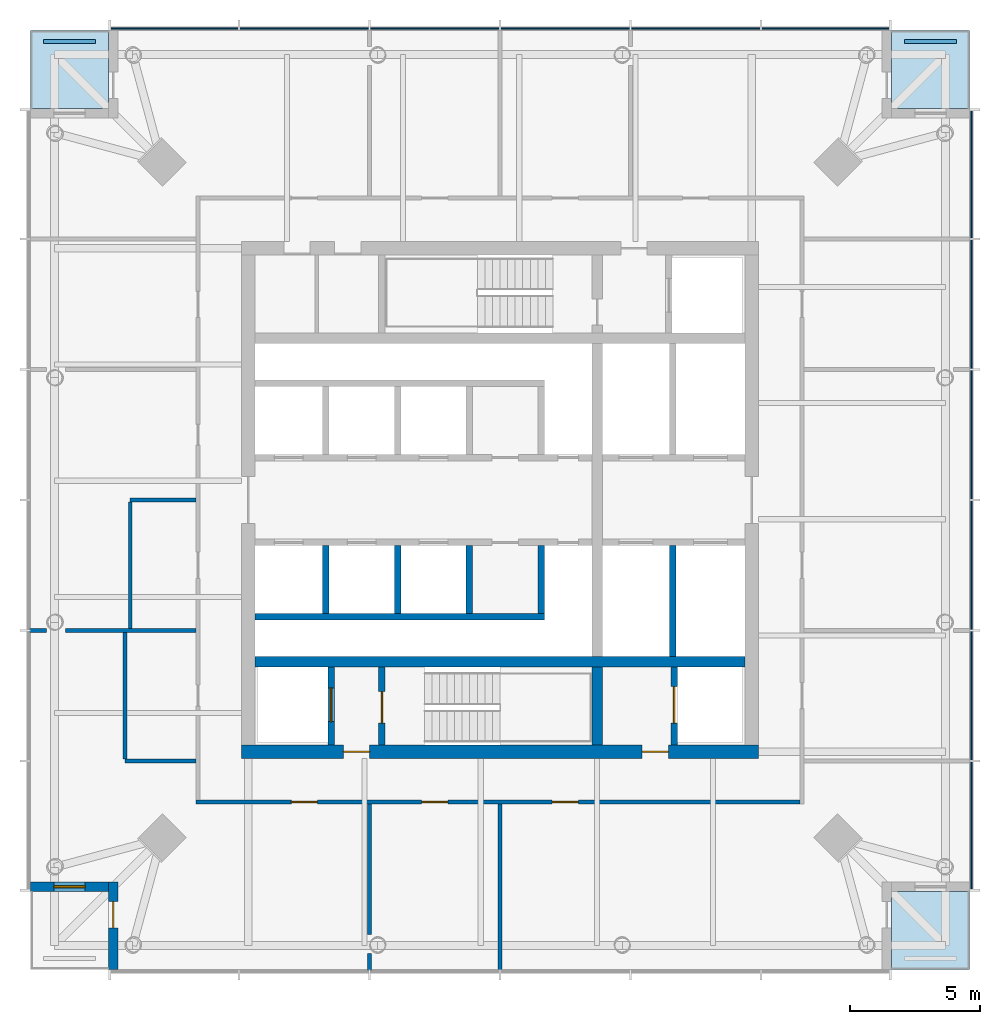
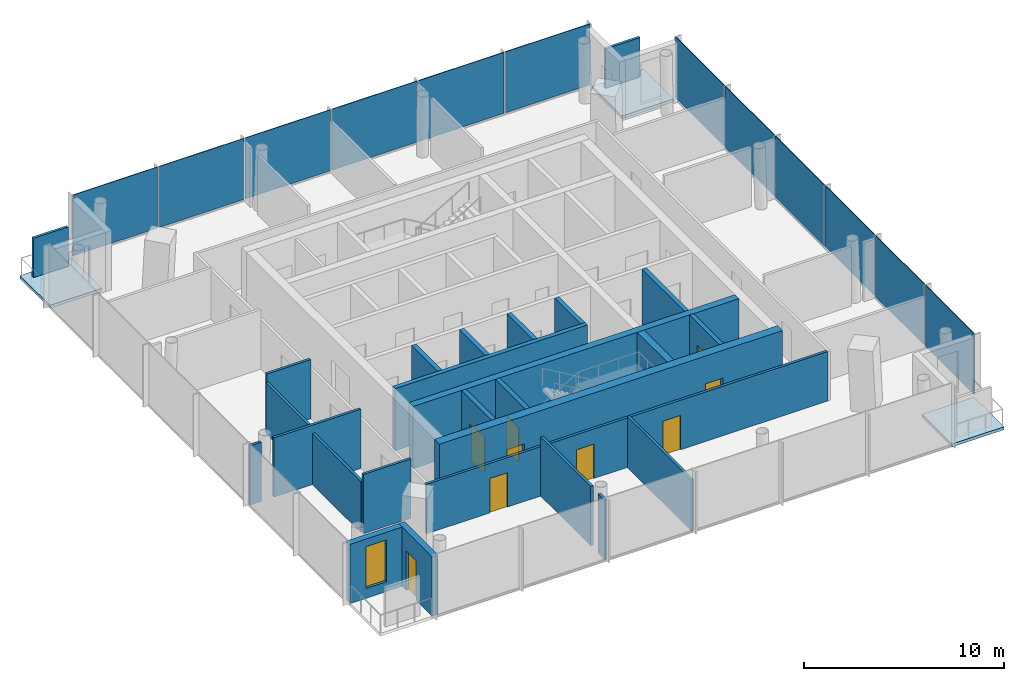
# One storey, part 3 of 7: 24 walls, 14 plates, 9 doors, 3 slabs, 1 window, 10 openings, 2 elements without a shape of their own.
"""IFC4 building model written with IfcOpenShell, lengths in metres."""

from ifc_helpers import new_model, si_unit, direction, frame, frame_2d, origin, origin_2d, place, context, subcontext, project, spatial, polyline, rectangle, outline, extrude, material, layer, layer_set, type_object, element, fill, aggregate, save


model = new_model("IFC4")

# Units and contexts
model_context = context("Model", 3, precision=1e-05, world=origin(), true_north=direction((0.0, 1.0)))
body_context = subcontext(model_context, "Body", "Model", "MODEL_VIEW")
ifc_project = project(units=[si_unit("LENGTHUNIT", "METRE"), si_unit("AREAUNIT", "SQUARE_METRE"), si_unit("VOLUMEUNIT", "CUBIC_METRE"), si_unit("PLANEANGLEUNIT", "RADIAN"), si_unit("MASSUNIT", "GRAM", prefix="KILO")], contexts=[model_context])

# Site, building, storey
site_placement = place(None, origin())
site = spatial("IfcSite", under=ifc_project, at=site_placement, CompositionType="ELEMENT")
building_placement = place(site_placement, origin())
building = spatial("IfcBuilding", under=site, at=building_placement, Name="Ostroluk Exchange", CompositionType="ELEMENT")
storey_placement = place(building_placement, frame((0.0, 0.0, 237.60009765625)))
storey = spatial("IfcBuildingStorey", under=building, at=storey_placement, Name="L61", CompositionType="ELEMENT", Elevation=237.60009765625)

# Slabs
ifc_material_1 = material(Name="Concrete C35/45", Category="concrete")
ifc_layer_1 = layer(ifc_material_1, 0.179931640625)
ifc_layer_set_1 = layer_set([ifc_layer_1], Name="Balcony slab 180")
slab_type = type_object("IfcSlabType", Name="Balcony slab 180", PredefinedType="USERDEFINED", material=ifc_layer_set_1)
slab_1_placement = place(storey_placement, frame((0.0, 0.0, -0.18017578125)))
element("IfcSlab", 1, at=slab_1_placement, inside=storey, type_object=slab_type, Name="Office tower SE corner balcony L61", ObjectType="BALCONY", PredefinedType="USERDEFINED", context=body_context, shape_type="SweptSolid", body=[
    extrude(outline(polyline([(60.0, 28.0), (63.0, 28.0), (63.0, 31.0), (60.0, 31.0), (60.0, 28.0)])), origin(), (0.0, 0.0, 1.0), 0.18017578125),
])
slab_2_placement = place(storey_placement, frame((0.0, 0.0, -0.18017578125)))
element("IfcSlab", 2, at=slab_2_placement, inside=storey, type_object=slab_type, Name="Office tower NE corner balcony L61", ObjectType="BALCONY", PredefinedType="USERDEFINED", context=body_context, shape_type="SweptSolid", body=[
    extrude(outline(polyline([(60.0, 61.0), (63.0, 61.0), (63.0, 64.0), (60.0, 64.0), (60.0, 61.0)])), origin(), (0.0, 0.0, 1.0), 0.18017578125),
])
slab_3_placement = place(storey_placement, frame((0.0, 0.0, -0.18017578125)))
element("IfcSlab", 3, at=slab_3_placement, inside=storey, type_object=slab_type, Name="Office tower NW corner balcony L61", ObjectType="BALCONY", PredefinedType="USERDEFINED", context=body_context, shape_type="SweptSolid", body=[
    extrude(outline(polyline([(27.0, 61.0), (30.0, 61.0), (30.0, 64.0), (27.0, 64.0), (27.0, 61.0)])), origin(), (0.0, 0.0, 1.0), 0.18017578125),
])

# Plates
ifc_material_2 = material(Name="Steel S355 trellis with planting", Category="steel")
ifc_layer_2 = layer(ifc_material_2, 0.14990234375)
ifc_layer_set_2 = layer_set([ifc_layer_2], Name="Planted screen 150")
plate_type_1 = type_object("IfcPlateType", Name="Planted screen 150", PredefinedType="USERDEFINED", material=ifc_layer_set_2)
for number, where, z_axis, x_axis, name in (
    (4, (61.5, 63.574951171875, 0.0), (0.0, 0.0, 1.0), (1.0, 0.0, 0.0), "Office tower NE planted screen L61"),
    (5, (28.5, 63.574951171875, 0.0), (0.0, 0.0, 1.0), (1.0, 0.0, 0.0), "Office tower NW planted screen L61"),
):
    element("IfcPlate", number, at=place(storey_placement, frame(where, z_axis=z_axis, x_axis=x_axis)), inside=storey, type_object=plate_type_1, Name=name, ObjectType="PLANTED SCREEN", PredefinedType="USERDEFINED", context=body_context, shape_type="SweptSolid", body=[
        extrude(rectangle(XDim=2.0, YDim=0.14990234375, at=origin_2d()), origin(), (0.0, 0.0, 1.0), 2.39990234375),
    ])

# Curtain wall, plates
ifc_material_3 = material(Name="Laminated clear glass", Category="glass")
curtain_wall_type = type_object("IfcCurtainWallType", Name="Office tower facade", PredefinedType="USERDEFINED", material=ifc_material_3)
curtain_wall_1_placement = place(storey_placement, origin())
curtain_wall_1 = element("IfcCurtainWall", 6, at=curtain_wall_1_placement, inside=storey, type_object=curtain_wall_type, Name="Office tower east facade L61", ObjectType="UNITISED CURTAIN WALL", PredefinedType="USERDEFINED")
ifc_material_4 = material(Name="Laminated clear glass", Category="glass")
ifc_layer_3 = layer(ifc_material_4, 0.0439453125)
ifc_layer_set_3 = layer_set([ifc_layer_3], Name="Triple laminated clear glazing 44")
plate_type_2 = type_object("IfcPlateType", Name="Triple laminated clear glazing 44", PredefinedType="CURTAIN_PANEL", material=ifc_layer_set_3)
plate_1_placement = place(storey_placement, frame((63.074951171875, 33.52001953125, 0.080078125), z_axis=(0.0, 0.0, 1.0), x_axis=(0.0, 1.0, 0.0)))
plate_1 = element("IfcPlate", 7, at=plate_1_placement, type_object=plate_type_2, Name="CW-O1 panel 1.1", PredefinedType="CURTAIN_PANEL", context=body_context, shape_type="SweptSolid", body=[
    extrude(rectangle(XDim=4.8798828125, YDim=0.0439453125, at=origin_2d()), origin(), (0.0, 0.0, 1.0), 3.719970703125),
])
plate_2_placement = place(storey_placement, frame((63.074951171875, 38.5, 0.080078125), z_axis=(0.0, 0.0, 1.0), x_axis=(0.0, 1.0, 0.0)))
plate_2 = element("IfcPlate", 8, at=plate_2_placement, type_object=plate_type_2, Name="CW-O1 panel 2.1", PredefinedType="CURTAIN_PANEL", context=body_context, shape_type="SweptSolid", body=[
    extrude(rectangle(XDim=4.919921875, YDim=0.0439453125, at=origin_2d()), origin(), (0.0, 0.0, 1.0), 3.719970703125),
])
plate_3_placement = place(storey_placement, frame((63.074951171875, 43.5, 0.080078125), z_axis=(0.0, 0.0, 1.0), x_axis=(0.0, 1.0, 0.0)))
plate_3 = element("IfcPlate", 9, at=plate_3_placement, type_object=plate_type_2, Name="CW-O1 panel 3.1", PredefinedType="CURTAIN_PANEL", context=body_context, shape_type="SweptSolid", body=[
    extrude(rectangle(XDim=4.919921875, YDim=0.0439453125, at=origin_2d()), origin(), (0.0, 0.0, 1.0), 3.719970703125),
])
plate_4_placement = place(storey_placement, frame((63.074951171875, 48.5, 0.080078125), z_axis=(0.0, 0.0, 1.0), x_axis=(0.0, 1.0, 0.0)))
plate_4 = element("IfcPlate", 10, at=plate_4_placement, type_object=plate_type_2, Name="CW-O1 panel 4.1", PredefinedType="CURTAIN_PANEL", context=body_context, shape_type="SweptSolid", body=[
    extrude(rectangle(XDim=4.919921875, YDim=0.0439453125, at=origin_2d()), origin(), (0.0, 0.0, 1.0), 3.719970703125),
])
plate_5_placement = place(storey_placement, frame((63.074951171875, 53.5, 0.080078125), z_axis=(0.0, 0.0, 1.0), x_axis=(0.0, 1.0, 0.0)))
plate_5 = element("IfcPlate", 11, at=plate_5_placement, type_object=plate_type_2, Name="CW-O1 panel 5.1", PredefinedType="CURTAIN_PANEL", context=body_context, shape_type="SweptSolid", body=[
    extrude(rectangle(XDim=4.919921875, YDim=0.0439453125, at=origin_2d()), origin(), (0.0, 0.0, 1.0), 3.719970703125),
])
plate_6_placement = place(storey_placement, frame((63.074951171875, 58.47998046875, 0.080078125), z_axis=(0.0, 0.0, 1.0), x_axis=(0.0, 1.0, 0.0)))
plate_6 = element("IfcPlate", 12, at=plate_6_placement, type_object=plate_type_2, Name="CW-O1 panel 6.1", PredefinedType="CURTAIN_PANEL", context=body_context, shape_type="SweptSolid", body=[
    extrude(rectangle(XDim=4.8798828125, YDim=0.0439453125, at=origin_2d()), origin(), (0.0, 0.0, 1.0), 3.719970703125),
])
aggregate(curtain_wall_1, [plate_1, plate_2, plate_3, plate_4, plate_5, plate_6])

curtain_wall_2_placement = place(storey_placement, origin())
curtain_wall_2 = element("IfcCurtainWall", 13, at=curtain_wall_2_placement, inside=storey, type_object=curtain_wall_type, Name="Office tower north facade L61", ObjectType="UNITISED CURTAIN WALL", PredefinedType="USERDEFINED")
plate_7_placement = place(storey_placement, frame((57.47998046875, 64.074951171875, 0.080078125), z_axis=(0.0, 0.0, 1.0), x_axis=(-1.0, 0.0, 0.0)))
plate_7 = element("IfcPlate", 14, at=plate_7_placement, type_object=plate_type_2, Name="CW-O1 panel 1.1", PredefinedType="CURTAIN_PANEL", context=body_context, shape_type="SweptSolid", body=[
    extrude(rectangle(XDim=4.8798828125, YDim=0.0439453125, at=origin_2d()), origin(), (0.0, 0.0, 1.0), 3.719970703125),
])
plate_8_placement = place(storey_placement, frame((52.5, 64.074951171875, 0.080078125), z_axis=(0.0, 0.0, 1.0), x_axis=(-1.0, 0.0, 0.0)))
plate_8 = element("IfcPlate", 15, at=plate_8_placement, type_object=plate_type_2, Name="CW-O1 panel 2.1", PredefinedType="CURTAIN_PANEL", context=body_context, shape_type="SweptSolid", body=[
    extrude(rectangle(XDim=4.919921875, YDim=0.0439453125, at=origin_2d()), origin(), (0.0, 0.0, 1.0), 3.719970703125),
])
plate_9_placement = place(storey_placement, frame((47.5, 64.074951171875, 0.080078125), z_axis=(0.0, 0.0, 1.0), x_axis=(-1.0, 0.0, 0.0)))
plate_9 = element("IfcPlate", 16, at=plate_9_placement, type_object=plate_type_2, Name="CW-O1 panel 3.1", PredefinedType="CURTAIN_PANEL", context=body_context, shape_type="SweptSolid", body=[
    extrude(rectangle(XDim=4.919921875, YDim=0.0439453125, at=origin_2d()), origin(), (0.0, 0.0, 1.0), 3.719970703125),
])
plate_10_placement = place(storey_placement, frame((42.5, 64.074951171875, 0.080078125), z_axis=(0.0, 0.0, 1.0), x_axis=(-1.0, 0.0, 0.0)))
plate_10 = element("IfcPlate", 17, at=plate_10_placement, type_object=plate_type_2, Name="CW-O1 panel 4.1", PredefinedType="CURTAIN_PANEL", context=body_context, shape_type="SweptSolid", body=[
    extrude(rectangle(XDim=4.919921875, YDim=0.0439453125, at=origin_2d()), origin(), (0.0, 0.0, 1.0), 3.719970703125),
])
plate_11_placement = place(storey_placement, frame((37.5, 64.074951171875, 0.080078125), z_axis=(0.0, 0.0, 1.0), x_axis=(-1.0, 0.0, 0.0)))
plate_11 = element("IfcPlate", 18, at=plate_11_placement, type_object=plate_type_2, Name="CW-O1 panel 5.1", PredefinedType="CURTAIN_PANEL", context=body_context, shape_type="SweptSolid", body=[
    extrude(rectangle(XDim=4.919921875, YDim=0.0439453125, at=origin_2d()), origin(), (0.0, 0.0, 1.0), 3.719970703125),
])
plate_12_placement = place(storey_placement, frame((32.52001953125, 64.074951171875, 0.080078125), z_axis=(0.0, 0.0, 1.0), x_axis=(-1.0, 0.0, 0.0)))
plate_12 = element("IfcPlate", 19, at=plate_12_placement, type_object=plate_type_2, Name="CW-O1 panel 6.1", PredefinedType="CURTAIN_PANEL", context=body_context, shape_type="SweptSolid", body=[
    extrude(rectangle(XDim=4.8798828125, YDim=0.0439453125, at=origin_2d()), origin(), (0.0, 0.0, 1.0), 3.719970703125),
])
aggregate(curtain_wall_2, [plate_7, plate_8, plate_9, plate_10, plate_11, plate_12])

# Walls
ifc_material_5 = material(Name="Concrete C50/60", Category="concrete")
ifc_layer_4 = layer(ifc_material_5, 0.39990234375)
ifc_layer_set_4 = layer_set([ifc_layer_4], Name="Core cross wall 400 C50/60")
wall_type_1 = type_object("IfcWallType", Name="Core cross wall 400 C50/60", PredefinedType="SHEAR", material=ifc_layer_set_4)
wall_1_placement = place(storey_placement, frame((35.60009765625, 39.800048828125, 0.0), z_axis=(0.0, 0.0, 1.0), x_axis=(1.0, 0.0, 0.0)))
element("IfcWall", 20, at=wall_1_placement, inside=storey, type_object=wall_type_1, Name="T1 core wall XS", PredefinedType="SHEAR", context=body_context, shape_type="SweptSolid", body=[
    extrude(rectangle(XDim=18.7998046875, YDim=0.39990234375, at=frame_2d((9.39990234375, 0.0))), origin(), (0.0, 0.0, 1.0), 3.7998046875),
])
wall_2_placement = place(storey_placement, frame((48.72998046875, 36.60009765625, 0.0), z_axis=(0.0, 0.0, 1.0), x_axis=(0.0, 1.0, 0.0)))
element("IfcWall", 21, at=wall_2_placement, inside=storey, type_object=wall_type_1, Name="T1 core wall YE1", PredefinedType="SHEAR", context=body_context, shape_type="SweptSolid", body=[
    extrude(rectangle(XDim=3.0, YDim=0.39990234375, at=frame_2d((1.5, 0.0))), origin(), (0.0, 0.0, 1.0), 3.7998046875),
])

# Wall, opening, door
ifc_material_6 = material(Name="Concrete C40/50", Category="concrete")
ifc_layer_5 = layer(ifc_material_6, 0.25)
ifc_layer_set_5 = layer_set([ifc_layer_5], Name="Core shaft wall 250")
wall_type_2 = type_object("IfcWallType", Name="Core shaft wall 250", PredefinedType="SHEAR", material=ifc_layer_set_5)
wall_3_placement = place(storey_placement, frame((38.52490234375, 36.60009765625, 0.0), z_axis=(0.0, 0.0, 1.0), x_axis=(0.0, 1.0, 0.0)))
wall_3 = element("IfcWall", 22, at=wall_3_placement, inside=storey, type_object=wall_type_2, Name="Firefighting lift shaft wall", PredefinedType="SHEAR", context=body_context, shape_type="SweptSolid", body=[
    extrude(rectangle(XDim=3.0, YDim=0.25, at=frame_2d((1.5, 0.0))), origin(), (0.0, 0.0, 1.0), 3.7998046875),
])
opening_1_placement = place(wall_3_placement, frame((0.89990234375, 0.0, 0.0)))
opening_1 = element("IfcOpeningElement", 23, at=opening_1_placement, cuts=wall_3, Name="Opening LD2", PredefinedType="OPENING", context=body_context, shape_type="SweptSolid", body=[
    extrude(rectangle(XDim=1.300048828125, YDim=2.199951171875, at=frame_2d((0.64990234375, 1.10009765625))), frame((0.0, 0.135009765625, 0.0), z_axis=(0.0, -1.0, 0.0), x_axis=(1.0, 0.0, 0.0)), (0.0, 0.0, 1.0), 0.27001953125),
])
ifc_material_7 = material(Name="Stainless steel", Category="steel")
door_type_1 = type_object("IfcDoorType", Name="Lift landing door E 60 1300 x 2200", OperationType="DOUBLE_DOOR_SLIDING", PredefinedType="DOOR", material=ifc_material_7)
door_1_placement = place(opening_1_placement, origin())
door_1 = element("IfcDoor", 24, at=door_1_placement, inside=storey, type_object=door_type_1, Name="Lift FL1 landing door", OperationType="DOUBLE_DOOR_SLIDING", OverallHeight=2.199951171875, OverallWidth=1.300048828125, PredefinedType="DOOR", context=body_context, shape_type="SweptSolid", body=[
    extrude(rectangle(XDim=1.300048828125, YDim=2.199951171875, at=frame_2d((0.64990234375, 1.10009765625))), frame((0.0, 0.02490234375, 0.0), z_axis=(0.0, -1.0, 0.0), x_axis=(1.0, 0.0, 0.0)), (0.0, 0.0, 1.0), 0.050048828125),
])
fill(opening_1, door_1)

wall_4_placement = place(storey_placement, frame((40.47509765625, 36.60009765625, 0.0), z_axis=(0.0, 0.0, 1.0), x_axis=(0.0, 1.0, 0.0)))
wall_4 = element("IfcWall", 25, at=wall_4_placement, inside=storey, type_object=wall_type_2, Name="Stair shaft wall", PredefinedType="SHEAR", context=body_context, shape_type="SweptSolid", body=[
    extrude(rectangle(XDim=3.0, YDim=0.25, at=frame_2d((1.5, 0.0))), origin(), (0.0, 0.0, 1.0), 3.7998046875),
])
opening_2_placement = place(wall_4_placement, frame((0.85009765625, 0.0, 0.0)))
opening_2 = element("IfcOpeningElement", 26, at=opening_2_placement, cuts=wall_4, Name="Opening FD60S", PredefinedType="OPENING", context=body_context, shape_type="SweptSolid", body=[
    extrude(rectangle(XDim=1.199951171875, YDim=2.10009765625, at=frame_2d((0.60009765625, 1.050048828125))), frame((0.0, 0.135009765625, 0.0), z_axis=(0.0, -1.0, 0.0), x_axis=(1.0, 0.0, 0.0)), (0.0, 0.0, 1.0), 0.27001953125),
])
ifc_material_8 = material(Name="Steel", Category="steel")
door_type_2 = type_object("IfcDoorType", Name="Stair door EI 60 1200 x 2100", OperationType="SINGLE_SWING_LEFT", PredefinedType="DOOR", material=ifc_material_8)
door_2_placement = place(opening_2_placement, origin())
door_2 = element("IfcDoor", 27, at=door_2_placement, inside=storey, type_object=door_type_2, Name="Stair T1-S1 door", OperationType="SINGLE_SWING_LEFT", OverallHeight=2.10009765625, OverallWidth=1.199951171875, PredefinedType="DOOR", context=body_context, shape_type="SweptSolid", body=[
    extrude(rectangle(XDim=1.199951171875, YDim=2.10009765625, at=frame_2d((0.60009765625, 1.050048828125))), frame((0.0, 0.02490234375, 0.0), z_axis=(0.0, -1.0, 0.0), x_axis=(1.0, 0.0, 0.0)), (0.0, 0.0, 1.0), 0.050048828125),
])
fill(opening_2, door_2)

wall_5_placement = place(storey_placement, frame((51.675048828125, 36.60009765625, 0.0), z_axis=(0.0, 0.0, 1.0), x_axis=(0.0, 1.0, 0.0)))
wall_5 = element("IfcWall", 28, at=wall_5_placement, inside=storey, type_object=wall_type_2, Name="Service lift shaft wall", PredefinedType="SHEAR", context=body_context, shape_type="SweptSolid", body=[
    extrude(rectangle(XDim=3.0, YDim=0.25, at=frame_2d((1.5, 0.0))), origin(), (0.0, 0.0, 1.0), 3.7998046875),
])
opening_3_placement = place(wall_5_placement, frame((0.85009765625, 0.0, 0.0)))
opening_3 = element("IfcOpeningElement", 29, at=opening_3_placement, cuts=wall_5, Name="Opening LD3", PredefinedType="OPENING", context=body_context, shape_type="SweptSolid", body=[
    extrude(rectangle(XDim=1.39990234375, YDim=2.39990234375, at=frame_2d((0.699951171875, 1.199951171875))), frame((0.0, 0.135009765625, 0.0), z_axis=(0.0, -1.0, 0.0), x_axis=(1.0, 0.0, 0.0)), (0.0, 0.0, 1.0), 0.27001953125),
])
ifc_material_9 = material(Name="Stainless steel", Category="steel")
door_type_3 = type_object("IfcDoorType", Name="Goods lift landing door E 60 1400 x 2400", OperationType="DOUBLE_DOOR_SLIDING", PredefinedType="DOOR", material=ifc_material_9)
door_3_placement = place(opening_3_placement, origin())
door_3 = element("IfcDoor", 30, at=door_3_placement, inside=storey, type_object=door_type_3, Name="Lift SL1 landing door", OperationType="DOUBLE_DOOR_SLIDING", OverallHeight=2.39990234375, OverallWidth=1.39990234375, PredefinedType="DOOR", context=body_context, shape_type="SweptSolid", body=[
    extrude(rectangle(XDim=1.39990234375, YDim=2.39990234375, at=frame_2d((0.699951171875, 1.199951171875))), frame((0.0, 0.02490234375, 0.0), z_axis=(0.0, -1.0, 0.0), x_axis=(1.0, 0.0, 0.0)), (0.0, 0.0, 1.0), 0.050048828125),
])
fill(opening_3, door_3)

# Walls
for number, where, z_axis, x_axis, name in (
    (31, (38.324951171875, 44.25, 0.0), (0.0, 0.0, 1.0), (0.0, -1.0, 0.0), "Lift shaft wall"),
    (32, (41.074951171875, 44.25, 0.0), (0.0, 0.0, 1.0), (0.0, -1.0, 0.0), "Lift shaft wall"),
    (33, (43.824951171875, 44.25, 0.0), (0.0, 0.0, 1.0), (0.0, -1.0, 0.0), "Lift shaft wall"),
    (34, (46.574951171875, 44.25, 0.0), (0.0, 0.0, 1.0), (0.0, -1.0, 0.0), "Lift shaft wall"),
):
    element("IfcWall", number, at=place(storey_placement, frame(where, z_axis=z_axis, x_axis=x_axis)), inside=storey, type_object=wall_type_2, Name=name, PredefinedType="SHEAR", context=body_context, shape_type="SweptSolid", body=[
        extrude(rectangle(XDim=2.60009765625, YDim=0.25, at=frame_2d((1.300048828125, 0.0))), origin(), (0.0, 0.0, 1.0), 3.7998046875),
    ])
wall_6_placement = place(storey_placement, frame((35.60009765625, 41.52490234375, 0.0), z_axis=(0.0, 0.0, 1.0), x_axis=(1.0, 0.0, 0.0)))
element("IfcWall", 35, at=wall_6_placement, inside=storey, type_object=wall_type_2, Name="Lift shaft wall", PredefinedType="SHEAR", context=body_context, shape_type="SweptSolid", body=[
    extrude(rectangle(XDim=11.099853515625, YDim=0.25, at=frame_2d((5.5498046875, 0.0))), origin(), (0.0, 0.0, 1.0), 3.7998046875),
])
wall_7_placement = place(storey_placement, frame((51.614990234375, 44.25, 0.0), z_axis=(0.0, 0.0, 1.0), x_axis=(0.0, -1.0, 0.0)))
element("IfcWall", 36, at=wall_7_placement, inside=storey, type_object=wall_type_2, Name="Lift shaft wall", PredefinedType="SHEAR", context=body_context, shape_type="SweptSolid", body=[
    extrude(rectangle(XDim=4.25, YDim=0.25, at=frame_2d((2.125, 0.0))), origin(), (0.0, 0.0, 1.0), 3.7998046875),
])

# Wall, openings, doors
ifc_material_10 = material(Name="Concrete C50/60", Category="concrete")
ifc_layer_6 = layer(ifc_material_10, 0.5)
ifc_layer_set_6 = layer_set([ifc_layer_6], Name="Core wall 500 C50/60")
wall_type_3 = type_object("IfcWallType", Name="Core wall 500 C50/60", PredefinedType="SHEAR", material=ifc_layer_set_6)
wall_8_placement = place(storey_placement, frame((35.10009765625, 36.35009765625, 0.0), z_axis=(0.0, 0.0, 1.0), x_axis=(1.0, 0.0, 0.0)))
wall_8 = element("IfcWall", 37, at=wall_8_placement, inside=storey, type_object=wall_type_3, Name="T1 core wall S", PredefinedType="SHEAR", context=body_context, shape_type="SweptSolid", body=[
    extrude(rectangle(XDim=19.7998046875, YDim=0.5, at=frame_2d((9.89990234375, 0.0))), origin(), (0.0, 0.0, 1.0), 3.7998046875),
])
opening_4_placement = place(wall_8_placement, frame((3.89990234375, 0.0, 0.0)))
opening_4 = element("IfcOpeningElement", 38, at=opening_4_placement, cuts=wall_8, Name="Opening FD60", PredefinedType="OPENING", context=body_context, shape_type="SweptSolid", body=[
    extrude(rectangle(XDim=1.0, YDim=2.10009765625, at=frame_2d((0.5, 1.050048828125))), frame((0.0, 0.260009765625, 0.0), z_axis=(0.0, -1.0, 0.0), x_axis=(1.0, 0.0, 0.0)), (0.0, 0.0, 1.0), 0.52001953125),
])
opening_5_placement = place(wall_8_placement, frame((15.35009765625, 0.0, 0.0)))
opening_5 = element("IfcOpeningElement", 39, at=opening_5_placement, cuts=wall_8, Name="Opening FD60", PredefinedType="OPENING", context=body_context, shape_type="SweptSolid", body=[
    extrude(rectangle(XDim=1.0, YDim=2.10009765625, at=frame_2d((0.5, 1.050048828125))), frame((0.0, 0.260009765625, 0.0), z_axis=(0.0, -1.0, 0.0), x_axis=(1.0, 0.0, 0.0)), (0.0, 0.0, 1.0), 0.52001953125),
])
ifc_material_11 = material(Name="Steel", Category="steel")
door_type_4 = type_object("IfcDoorType", Name="Fire door EI 60 1000 x 2100", OperationType="SINGLE_SWING_LEFT", PredefinedType="DOOR", material=ifc_material_11)
door_4_placement = place(opening_4_placement, origin())
door_4 = element("IfcDoor", 40, at=door_4_placement, inside=storey, type_object=door_type_4, Name="Firefighting lobby door", OperationType="SINGLE_SWING_LEFT", OverallHeight=2.10009765625, OverallWidth=1.0, PredefinedType="DOOR", context=body_context, shape_type="SweptSolid", body=[
    extrude(rectangle(XDim=1.0, YDim=2.10009765625, at=frame_2d((0.5, 1.050048828125))), frame((0.0, 0.02490234375, 0.0), z_axis=(0.0, -1.0, 0.0), x_axis=(1.0, 0.0, 0.0)), (0.0, 0.0, 1.0), 0.050048828125),
])
fill(opening_4, door_4)
door_5_placement = place(opening_5_placement, origin())
door_5 = element("IfcDoor", 41, at=door_5_placement, inside=storey, type_object=door_type_4, Name="Service lobby door", OperationType="SINGLE_SWING_RIGHT", OverallHeight=2.10009765625, OverallWidth=1.0, PredefinedType="DOOR", context=body_context, shape_type="SweptSolid", body=[
    extrude(rectangle(XDim=1.0, YDim=2.10009765625, at=frame_2d((0.5, 1.050048828125))), frame((0.0, 0.02490234375, 0.0), z_axis=(0.0, -1.0, 0.0), x_axis=(1.0, 0.0, 0.0)), (0.0, 0.0, 1.0), 0.050048828125),
])
fill(opening_5, door_5)

# Wall, opening, door
ifc_material_12 = material(Name="Limestone", Category="masonry")
ifc_layer_7 = layer(ifc_material_12, 0.35009765625)
ifc_layer_set_7 = layer_set([ifc_layer_7], Name="Limestone facade wall 350")
wall_type_4 = type_object("IfcWallType", Name="Limestone facade wall 350", PredefinedType="SOLIDWALL", material=ifc_layer_set_7)
wall_9_placement = place(storey_placement, frame((30.175048828125, 28.0, 0.0), z_axis=(0.0, 0.0, 1.0), x_axis=(0.0, 1.0, 0.0)))
wall_9 = element("IfcWall", 42, at=wall_9_placement, inside=storey, type_object=wall_type_4, Name="Office tower SW corner wall L61 a", PredefinedType="SOLIDWALL", context=body_context, shape_type="SweptSolid", body=[
    extrude(rectangle(XDim=3.35009765625, YDim=0.35009765625, at=frame_2d((1.675048828125, 0.0))), origin(), (0.0, 0.0, 1.0), 3.619873046875),
])
opening_6_placement = place(wall_9_placement, frame((1.60009765625, 0.0, 0.0)))
opening_6 = element("IfcOpeningElement", 43, at=opening_6_placement, cuts=wall_9, Name="Opening D-B1", PredefinedType="OPENING", context=body_context, shape_type="SweptSolid", body=[
    extrude(rectangle(XDim=1.0, YDim=2.39990234375, at=frame_2d((0.5, 1.199951171875))), frame((0.0, 0.18505859375, 0.0), z_axis=(0.0, -1.0, 0.0), x_axis=(1.0, 0.0, 0.0)), (0.0, 0.0, 1.0), 0.3701171875),
])
ifc_material_13 = material(Name="Bronze framed glazed door", Category="aluminium")
door_type_5 = type_object("IfcDoorType", Name="Balcony door 1000 x 2400", OperationType="SINGLE_SWING_LEFT", PredefinedType="DOOR", material=ifc_material_13)
door_6_placement = place(opening_6_placement, origin())
door_6 = element("IfcDoor", 44, at=door_6_placement, inside=storey, type_object=door_type_5, Name="Office tower SW balcony door L61", OperationType="SINGLE_SWING_RIGHT", OverallHeight=2.39990234375, OverallWidth=1.0, PredefinedType="DOOR", context=body_context, shape_type="SweptSolid", body=[
    extrude(rectangle(XDim=1.0, YDim=2.39990234375, at=frame_2d((0.5, 1.199951171875))), frame((0.0, 0.02490234375, 0.0), z_axis=(0.0, -1.0, 0.0), x_axis=(1.0, 0.0, 0.0)), (0.0, 0.0, 1.0), 0.050048828125),
])
fill(opening_6, door_6)

# Wall, opening, window
wall_10_placement = place(storey_placement, frame((30.0, 31.175048828125, 0.0), z_axis=(0.0, 0.0, 1.0), x_axis=(-1.0, 0.0, 0.0)))
wall_10 = element("IfcWall", 45, at=wall_10_placement, inside=storey, type_object=wall_type_4, Name="Office tower SW corner wall L61 b", PredefinedType="SOLIDWALL", context=body_context, shape_type="SweptSolid", body=[
    extrude(rectangle(XDim=3.0, YDim=0.35009765625, at=frame_2d((1.5, 0.0))), origin(), (0.0, 0.0, 1.0), 3.619873046875),
])
opening_7_placement = place(wall_10_placement, frame((0.89990234375, 0.0, 0.60009765625)))
opening_7 = element("IfcOpeningElement", 46, at=opening_7_placement, cuts=wall_10, Name="Opening WN-L1", PredefinedType="OPENING", context=body_context, shape_type="SweptSolid", body=[
    extrude(rectangle(XDim=1.199951171875, YDim=2.550048828125, at=frame_2d((0.60009765625, 1.27490234375))), frame((0.0, 0.18505859375, 0.0), z_axis=(0.0, -1.0, 0.0), x_axis=(1.0, 0.0, 0.0)), (0.0, 0.0, 1.0), 0.3701171875),
])
ifc_material_14 = material(Name="Laminated clear glass", Category="glass")
window_type = type_object("IfcWindowType", Name="Lancet window 1200 x 2550", PartitioningType="SINGLE_PANEL", PredefinedType="WINDOW", material=ifc_material_14)
window_placement = place(opening_7_placement, origin())
window = element("IfcWindow", 47, at=window_placement, inside=storey, type_object=window_type, Name="Office tower SW lancet window L61", OverallHeight=2.550048828125, OverallWidth=1.199951171875, PartitioningType="SINGLE_PANEL", PredefinedType="WINDOW", context=body_context, shape_type="SweptSolid", body=[
    extrude(rectangle(XDim=1.199951171875, YDim=2.550048828125, at=frame_2d((0.60009765625, 1.27490234375))), frame((0.0, 0.030029296875, 0.0), z_axis=(0.0, -1.0, 0.0), x_axis=(1.0, 0.0, 0.0)), (0.0, 0.0, 1.0), 0.06005859375),
])
fill(opening_7, window)

# Walls
ifc_material_15 = material(Name="Gypsum plasterboard partition", Category="gypsum")
ifc_layer_8 = layer(ifc_material_15, 0.14990234375)
ifc_layer_set_8 = layer_set([ifc_layer_8], Name="Plasterboard partition 150")
wall_type_5 = type_object("IfcWallType", Name="Plasterboard partition 150", PredefinedType="PARTITIONING", material=ifc_layer_set_8)
wall_11_placement = place(storey_placement, frame((33.35009765625, 46.0, 0.0), z_axis=(0.0, 0.0, 1.0), x_axis=(-1.0, 0.0, 0.0)))
element("IfcWall", 48, at=wall_11_placement, inside=storey, type_object=wall_type_5, Name="Partition", PredefinedType="PARTITIONING", context=body_context, shape_type="SweptSolid", body=[
    extrude(rectangle(XDim=2.525146484375, YDim=0.14990234375, at=frame_2d((1.2626953125, 0.0))), origin(), (0.0, 0.0, 1.0), 3.619873046875),
])
wall_12_placement = place(storey_placement, frame((33.35009765625, 41.0, 0.0), z_axis=(0.0, 0.0, 1.0), x_axis=(-1.0, 0.0, 0.0)))
element("IfcWall", 49, at=wall_12_placement, inside=storey, type_object=wall_type_5, Name="Partition", PredefinedType="PARTITIONING", context=body_context, shape_type="SweptSolid", body=[
    extrude(rectangle(XDim=5.002197265625, YDim=0.14990234375, at=frame_2d((2.5009765625, 0.0))), origin(), (0.0, 0.0, 1.0), 3.619873046875),
])
wall_13_placement = place(storey_placement, frame((27.616455078125, 41.0, 0.0), z_axis=(0.0, 0.0, 1.0), x_axis=(-1.0, 0.0, 0.0)))
element("IfcWall", 50, at=wall_13_placement, inside=storey, type_object=wall_type_5, Name="Partition", PredefinedType="PARTITIONING", context=body_context, shape_type="SweptSolid", body=[
    extrude(rectangle(XDim=0.656494140625, YDim=0.14990234375, at=frame_2d((0.328125, 0.0))), origin(), (0.0, 0.0, 1.0), 3.619873046875),
])
wall_14_placement = place(storey_placement, frame((33.35009765625, 36.0, 0.0), z_axis=(0.0, 0.0, 1.0), x_axis=(-1.0, 0.0, 0.0)))
element("IfcWall", 51, at=wall_14_placement, inside=storey, type_object=wall_type_5, Name="Partition", PredefinedType="PARTITIONING", context=body_context, shape_type="SweptSolid", body=[
    extrude(rectangle(XDim=2.72509765625, YDim=0.14990234375, at=frame_2d((1.362548828125, 0.0))), origin(), (0.0, 0.0, 1.0), 3.619873046875),
])

# Wall, openings, doors
wall_15_placement = place(storey_placement, frame((33.35009765625, 34.425048828125, 0.0), z_axis=(0.0, 0.0, 1.0), x_axis=(1.0, 0.0, 0.0)))
wall_15 = element("IfcWall", 52, at=wall_15_placement, inside=storey, type_object=wall_type_5, Name="Partition", PredefinedType="PARTITIONING", context=body_context, shape_type="SweptSolid", body=[
    extrude(rectangle(XDim=23.14990234375, YDim=0.14990234375, at=frame_2d((11.574951171875, 0.0))), origin(), (0.0, 0.0, 1.0), 3.02001953125),
])
opening_8_placement = place(wall_15_placement, frame((3.64990234375, 0.0, 0.0)))
opening_8 = element("IfcOpeningElement", 53, at=opening_8_placement, cuts=wall_15, Name="Opening D-03", PredefinedType="OPENING", context=body_context, shape_type="SweptSolid", body=[
    extrude(rectangle(XDim=1.0, YDim=2.10009765625, at=frame_2d((0.5, 1.050048828125))), frame((0.0, 0.0849609375, 0.0), z_axis=(0.0, -1.0, 0.0), x_axis=(1.0, 0.0, 0.0)), (0.0, 0.0, 1.0), 0.169921875),
])
opening_9_placement = place(wall_15_placement, frame((8.64990234375, 0.0, 0.0)))
opening_9 = element("IfcOpeningElement", 54, at=opening_9_placement, cuts=wall_15, Name="Opening D-03", PredefinedType="OPENING", context=body_context, shape_type="SweptSolid", body=[
    extrude(rectangle(XDim=1.0, YDim=2.10009765625, at=frame_2d((0.5, 1.050048828125))), frame((0.0, 0.0849609375, 0.0), z_axis=(0.0, -1.0, 0.0), x_axis=(1.0, 0.0, 0.0)), (0.0, 0.0, 1.0), 0.169921875),
])
opening_10_placement = place(wall_15_placement, frame((13.64990234375, 0.0, 0.0)))
opening_10 = element("IfcOpeningElement", 55, at=opening_10_placement, cuts=wall_15, Name="Opening D-03", PredefinedType="OPENING", context=body_context, shape_type="SweptSolid", body=[
    extrude(rectangle(XDim=1.0, YDim=2.10009765625, at=frame_2d((0.5, 1.050048828125))), frame((0.0, 0.0849609375, 0.0), z_axis=(0.0, -1.0, 0.0), x_axis=(1.0, 0.0, 0.0)), (0.0, 0.0, 1.0), 0.169921875),
])
ifc_material_16 = material(Name="Timber", Category="wood")
door_type_6 = type_object("IfcDoorType", Name="Internal door 1000 x 2100", OperationType="SINGLE_SWING_LEFT", PredefinedType="DOOR", material=ifc_material_16)
door_7_placement = place(opening_8_placement, origin())
door_7 = element("IfcDoor", 56, at=door_7_placement, inside=storey, type_object=door_type_6, Name="Corner office door", OperationType="SINGLE_SWING_LEFT", OverallHeight=2.10009765625, OverallWidth=1.0, PredefinedType="DOOR", context=body_context, shape_type="SweptSolid", body=[
    extrude(rectangle(XDim=1.0, YDim=2.10009765625, at=frame_2d((0.5, 1.050048828125))), frame((0.0, 0.02490234375, 0.0), z_axis=(0.0, -1.0, 0.0), x_axis=(1.0, 0.0, 0.0)), (0.0, 0.0, 1.0), 0.050048828125),
])
fill(opening_8, door_7)
door_8_placement = place(opening_9_placement, origin())
door_8 = element("IfcDoor", 57, at=door_8_placement, inside=storey, type_object=door_type_6, Name="Office door", OperationType="SINGLE_SWING_LEFT", OverallHeight=2.10009765625, OverallWidth=1.0, PredefinedType="DOOR", context=body_context, shape_type="SweptSolid", body=[
    extrude(rectangle(XDim=1.0, YDim=2.10009765625, at=frame_2d((0.5, 1.050048828125))), frame((0.0, 0.02490234375, 0.0), z_axis=(0.0, -1.0, 0.0), x_axis=(1.0, 0.0, 0.0)), (0.0, 0.0, 1.0), 0.050048828125),
])
fill(opening_9, door_8)
door_9_placement = place(opening_10_placement, origin())
door_9 = element("IfcDoor", 58, at=door_9_placement, inside=storey, type_object=door_type_6, Name="Executive office door", OperationType="SINGLE_SWING_RIGHT", OverallHeight=2.10009765625, OverallWidth=1.0, PredefinedType="DOOR", context=body_context, shape_type="SweptSolid", body=[
    extrude(rectangle(XDim=1.0, YDim=2.10009765625, at=frame_2d((0.5, 1.050048828125))), frame((0.0, 0.02490234375, 0.0), z_axis=(0.0, -1.0, 0.0), x_axis=(1.0, 0.0, 0.0)), (0.0, 0.0, 1.0), 0.050048828125),
])
fill(opening_10, door_9)

# Walls
wall_16_placement = place(storey_placement, frame((40.0, 34.35009765625, 0.0), z_axis=(0.0, 0.0, 1.0), x_axis=(0.0, -1.0, 0.0)))
element("IfcWall", 59, at=wall_16_placement, inside=storey, type_object=wall_type_5, Name="Partition", PredefinedType="PARTITIONING", context=body_context, shape_type="SweptSolid", body=[
    extrude(rectangle(XDim=5.002197265625, YDim=0.14990234375, at=frame_2d((2.5009765625, 0.0))), origin(), (0.0, 0.0, 1.0), 3.619873046875),
])
wall_17_placement = place(storey_placement, frame((40.0, 28.616455078125, 0.0), z_axis=(0.0, 0.0, 1.0), x_axis=(0.0, -1.0, 0.0)))
element("IfcWall", 60, at=wall_17_placement, inside=storey, type_object=wall_type_5, Name="Partition", PredefinedType="PARTITIONING", context=body_context, shape_type="SweptSolid", body=[
    extrude(rectangle(XDim=0.656494140625, YDim=0.14990234375, at=frame_2d((0.328125, 0.0))), origin(), (0.0, 0.0, 1.0), 3.619873046875),
])
wall_18_placement = place(storey_placement, frame((45.0, 34.35009765625, 0.0), z_axis=(0.0, 0.0, 1.0), x_axis=(0.0, -1.0, 0.0)))
element("IfcWall", 61, at=wall_18_placement, inside=storey, type_object=wall_type_5, Name="Partition", PredefinedType="PARTITIONING", context=body_context, shape_type="SweptSolid", body=[
    extrude(rectangle(XDim=6.39013671875, YDim=0.14990234375, at=frame_2d((3.195068359375, 0.0))), origin(), (0.0, 0.0, 1.0), 3.119873046875),
])
ifc_material_17 = material(Name="Gypsum plasterboard partition, moisture resistant", Category="gypsum")
ifc_layer_9 = layer(ifc_material_17, 0.14990234375)
ifc_layer_set_9 = layer_set([ifc_layer_9], Name="Plasterboard toilet partition 150")
wall_type_6 = type_object("IfcWallType", Name="Plasterboard toilet partition 150", PredefinedType="PARTITIONING", material=ifc_layer_set_9)
for number, where, z_axis, x_axis, name in (
    (62, (30.824951171875, 45.925048828125, 0.0), (0.0, 0.0, 1.0), (0.0, -1.0, 0.0), "Toilet partition"),
    (63, (30.625, 40.925048828125, 0.0), (0.0, 0.0, 1.0), (0.0, -1.0, 0.0), "Toilet partition"),
):
    element("IfcWall", number, at=place(storey_placement, frame(where, z_axis=z_axis, x_axis=x_axis)), inside=storey, type_object=wall_type_6, Name=name, PredefinedType="PARTITIONING", context=body_context, shape_type="SweptSolid", body=[
        extrude(rectangle(XDim=4.85009765625, YDim=0.14990234375, at=frame_2d((2.425048828125, 0.0))), origin(), (0.0, 0.0, 1.0), 3.119873046875),
    ])

save(model, "model.ifc")
